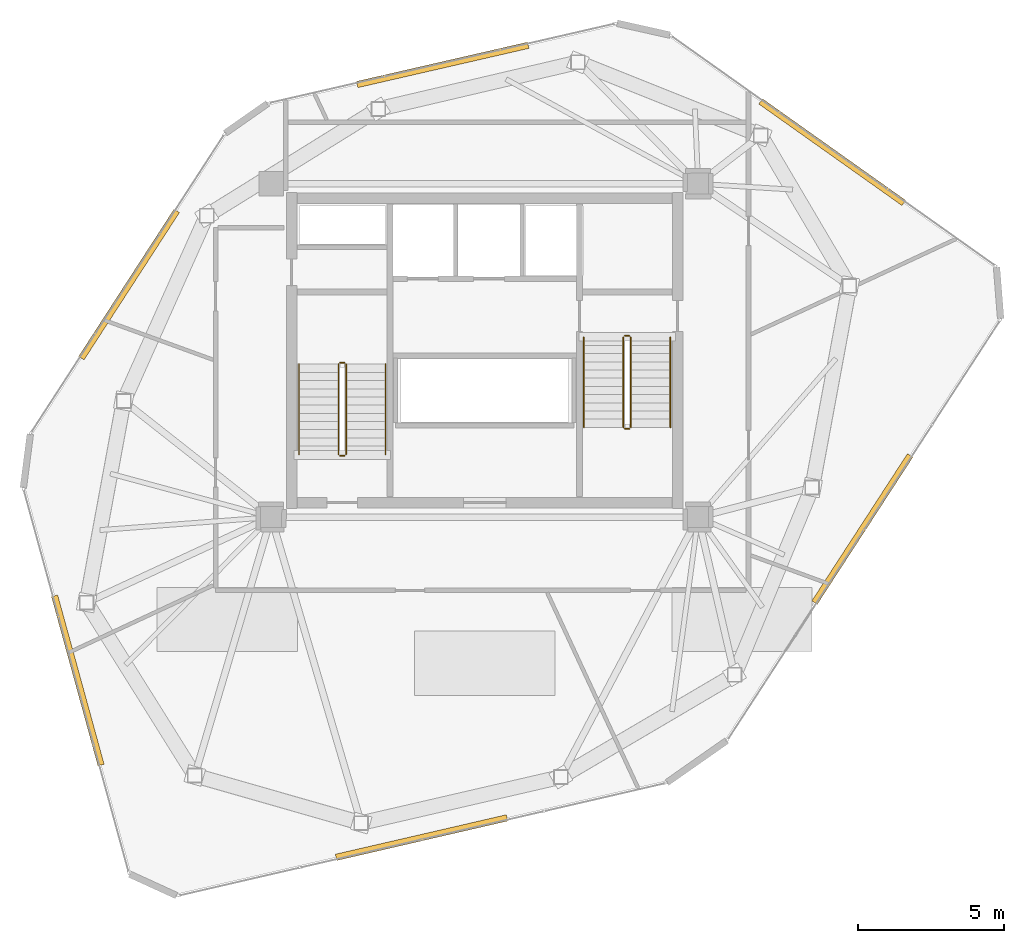
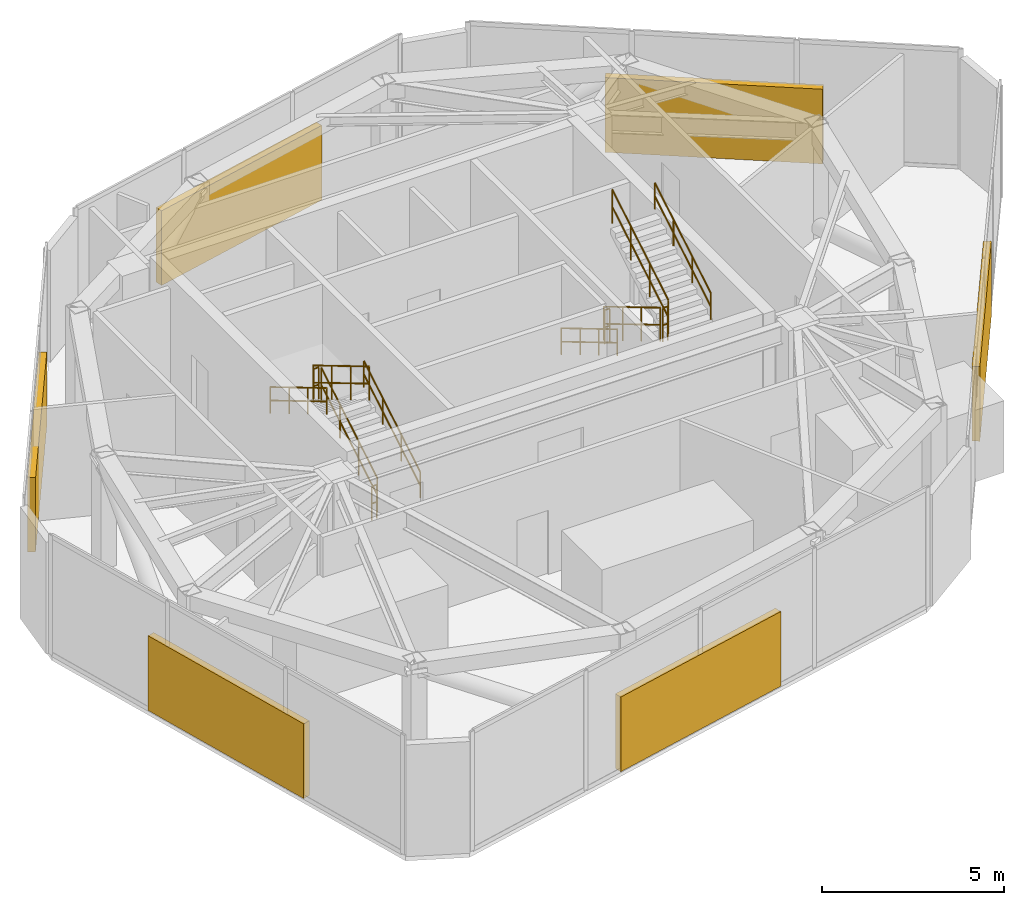
# One storey, part 20 of 21: 12 railings, 6 shading devices.
"""IFC4 building model written with IfcOpenShell, lengths in metres."""

from ifc_helpers import new_model, si_unit, direction, frame, origin, origin_2d, place, context, subcontext, project, spatial, rectangle, circle, extrude, source, transform, mapped, material, type_object, type_shapes, element, save


model = new_model("IFC4")

# Units and contexts
model_context = context("Model", 3, precision=1e-05, world=origin(), true_north=direction((0.0, 1.0)))
body_context = subcontext(model_context, "Body", "Model", "MODEL_VIEW")
ifc_project = project(units=[si_unit("LENGTHUNIT", "METRE"), si_unit("AREAUNIT", "SQUARE_METRE"), si_unit("VOLUMEUNIT", "CUBIC_METRE"), si_unit("PLANEANGLEUNIT", "RADIAN"), si_unit("MASSUNIT", "GRAM", prefix="KILO")], contexts=[model_context])

# Site, building, storey
site_placement = place(None, origin())
site = spatial("IfcSite", under=ifc_project, at=site_placement, CompositionType="ELEMENT")
building_placement = place(site_placement, origin())
building = spatial("IfcBuilding", under=site, at=building_placement, Name="Talar Marvaseh", CompositionType="ELEMENT")
storey_placement = place(building_placement, frame((0.0, 0.0, 308.0)))
storey = spatial("IfcBuildingStorey", under=building, at=storey_placement, Name="L82", CompositionType="ELEMENT", Elevation=308.0)

# Railings
ifc_material_1 = material(Name="Stainless Steel Grade 316", Category="steel")
railing_type_1 = type_object("IfcRailingType", Name="Brushed Stainless Wall Pitch Handrail 900", PredefinedType="HANDRAIL", material=ifc_material_1)
railing_1_placement = place(storey_placement, frame((22.610107421875, 27.64990234375, 0.166748046875)))
element("IfcRailing", 1, at=railing_1_placement, inside=storey, type_object=railing_type_1, Name="L82 ST-1 stair handrail 1", PredefinedType="HANDRAIL", context=body_context, shape_type="SweptSolid", body=[
    extrude(circle(Radius=0.02392578125, at=origin_2d()), frame((0.0, 0.0, 0.8759765625), z_axis=(0.0, 0.859308565015, 0.511457515432), x_axis=(-1.0, 0.0, 0.0)), (0.0, 0.0, 1.0), 3.58447265625),
    extrude(circle(Radius=0.02392578125, at=origin_2d()), frame((0.0, 0.0, 0.42578125), z_axis=(0.0, 0.859308565015, 0.511457515432), x_axis=(-1.0, 0.0, 0.0)), (0.0, 0.0, 1.0), 3.58447265625),
    extrude(circle(Radius=0.02099609375, at=origin_2d()), origin(), (0.0, 0.0, 1.0), 0.851806640625),
    extrude(circle(Radius=0.02099609375, at=origin_2d()), frame((0.0, 1.026611328125, 0.611083984375)), (0.0, 0.0, 1.0), 0.851806640625),
    extrude(circle(Radius=0.02099609375, at=origin_2d()), frame((0.0, 2.053466796875, 1.22216796875)), (0.0, 0.0, 1.0), 0.851806640625),
    extrude(circle(Radius=0.02099609375, at=origin_2d()), frame((0.0, 3.080078125, 1.833251953125)), (0.0, 0.0, 1.0), 0.851806640625),
])
railing_2_placement = place(storey_placement, frame((19.64990234375, 30.72998046875, 2.166748046875)))
element("IfcRailing", 2, at=railing_2_placement, inside=storey, type_object=railing_type_1, Name="L82 ST-1 stair handrail 2", PredefinedType="HANDRAIL", context=body_context, shape_type="SweptSolid", body=[
    extrude(circle(Radius=0.02392578125, at=origin_2d()), frame((0.0, 0.0, 0.8759765625), z_axis=(0.0, -0.859308565015, 0.511457515432), x_axis=(1.0, 0.0, 0.0)), (0.0, 0.0, 1.0), 3.58447265625),
    extrude(circle(Radius=0.02392578125, at=origin_2d()), frame((0.0, 0.0, 0.42578125), z_axis=(0.0, -0.859308565015, 0.511457515432), x_axis=(1.0, 0.0, 0.0)), (0.0, 0.0, 1.0), 3.58447265625),
    extrude(circle(Radius=0.02099609375, at=origin_2d()), origin(), (0.0, 0.0, 1.0), 0.851806640625),
    extrude(circle(Radius=0.02099609375, at=origin_2d()), frame((0.0, -1.026611328125, 0.611083984375)), (0.0, 0.0, 1.0), 0.851806640625),
    extrude(circle(Radius=0.02099609375, at=origin_2d()), frame((0.0, -2.053466796875, 1.22216796875)), (0.0, 0.0, 1.0), 0.851806640625),
    extrude(circle(Radius=0.02099609375, at=origin_2d()), frame((0.0, -3.080078125, 1.833251953125)), (0.0, 0.0, 1.0), 0.851806640625),
])
railing_3_placement = place(storey_placement, frame((29.389892578125, 31.64990234375, 0.166748046875)))
element("IfcRailing", 3, at=railing_3_placement, inside=storey, type_object=railing_type_1, Name="L82 ST-2 stair handrail 1", PredefinedType="HANDRAIL", context=body_context, shape_type="SweptSolid", body=[
    extrude(circle(Radius=0.02392578125, at=origin_2d()), frame((0.0, 0.0, 0.8759765625), z_axis=(0.0, -0.859290745958, 0.51148745235), x_axis=(1.0, 0.0, 0.0)), (0.0, 0.0, 1.0), 3.584228515625),
    extrude(circle(Radius=0.02392578125, at=origin_2d()), frame((0.0, 0.0, 0.42578125), z_axis=(0.0, -0.859290745958, 0.51148745235), x_axis=(1.0, 0.0, 0.0)), (0.0, 0.0, 1.0), 3.584228515625),
    extrude(circle(Radius=0.02099609375, at=origin_2d()), origin(), (0.0, 0.0, 1.0), 0.851806640625),
    extrude(circle(Radius=0.02099609375, at=origin_2d()), frame((0.0, -1.026611328125, 0.611083984375)), (0.0, 0.0, 1.0), 0.851806640625),
    extrude(circle(Radius=0.02099609375, at=origin_2d()), frame((0.0, -2.05322265625, 1.22216796875)), (0.0, 0.0, 1.0), 0.851806640625),
    extrude(circle(Radius=0.02099609375, at=origin_2d()), frame((0.0, -3.079833984375, 1.833251953125)), (0.0, 0.0, 1.0), 0.851806640625),
])
railing_4_placement = place(storey_placement, frame((32.35009765625, 28.570068359375, 2.166748046875)))
element("IfcRailing", 4, at=railing_4_placement, inside=storey, type_object=railing_type_1, Name="L82 ST-2 stair handrail 2", PredefinedType="HANDRAIL", context=body_context, shape_type="SweptSolid", body=[
    extrude(circle(Radius=0.02392578125, at=origin_2d()), frame((0.0, 0.0, 0.8759765625), z_axis=(0.0, 0.859290745958, 0.51148745235), x_axis=(-1.0, 0.0, 0.0)), (0.0, 0.0, 1.0), 3.584228515625),
    extrude(circle(Radius=0.02392578125, at=origin_2d()), frame((0.0, 0.0, 0.42578125), z_axis=(0.0, 0.859290745958, 0.51148745235), x_axis=(-1.0, 0.0, 0.0)), (0.0, 0.0, 1.0), 3.584228515625),
    extrude(circle(Radius=0.02099609375, at=origin_2d()), origin(), (0.0, 0.0, 1.0), 0.851806640625),
    extrude(circle(Radius=0.02099609375, at=origin_2d()), frame((0.0, 1.026611328125, 0.611083984375)), (0.0, 0.0, 1.0), 0.851806640625),
    extrude(circle(Radius=0.02099609375, at=origin_2d()), frame((0.0, 2.05322265625, 1.22216796875)), (0.0, 0.0, 1.0), 0.851806640625),
    extrude(circle(Radius=0.02099609375, at=origin_2d()), frame((0.0, 3.079833984375, 1.833251953125)), (0.0, 0.0, 1.0), 0.851806640625),
])
railing_type_2 = type_object("IfcRailingType", Name="Painted Steel Core Stair Well Guardrail 1150", PredefinedType="GUARDRAIL", material=ifc_material_1)
railing_5_placement = place(storey_placement, frame((21.260009765625, 27.64990234375, 0.166748046875)))
element("IfcRailing", 5, at=railing_5_placement, inside=storey, type_object=railing_type_2, Name="L82 ST-1 stair guard 1", PredefinedType="GUARDRAIL", context=body_context, shape_type="SweptSolid", body=[
    extrude(circle(Radius=0.02392578125, at=origin_2d()), frame((0.0, 0.0, 1.1259765625), z_axis=(0.0, 0.859308565015, 0.511457515432), x_axis=(-1.0, 0.0, 0.0)), (0.0, 0.0, 1.0), 3.58447265625),
    extrude(circle(Radius=0.02392578125, at=origin_2d()), frame((0.0, 0.0, 0.55078125), z_axis=(0.0, 0.859308565015, 0.511457515432), x_axis=(-1.0, 0.0, 0.0)), (0.0, 0.0, 1.0), 3.58447265625),
    extrude(circle(Radius=0.02099609375, at=origin_2d()), origin(), (0.0, 0.0, 1.0), 1.101806640625),
    extrude(circle(Radius=0.02099609375, at=origin_2d()), frame((0.0, 1.026611328125, 0.611083984375)), (0.0, 0.0, 1.0), 1.101806640625),
    extrude(circle(Radius=0.02099609375, at=origin_2d()), frame((0.0, 2.053466796875, 1.22216796875)), (0.0, 0.0, 1.0), 1.101806640625),
    extrude(circle(Radius=0.02099609375, at=origin_2d()), frame((0.0, 3.080078125, 1.833251953125)), (0.0, 0.0, 1.0), 1.101806640625),
])
railing_6_placement = place(storey_placement, frame((21.2099609375, 30.780029296875, 2.0)))
element("IfcRailing", 6, at=railing_6_placement, inside=storey, type_object=railing_type_2, Name="L82 ST-1 stair guard 2", PredefinedType="GUARDRAIL", context=body_context, shape_type="SweptSolid", body=[
    extrude(circle(Radius=0.02392578125, at=origin_2d()), frame((0.0, 0.0, 1.1259765625), z_axis=(-1.0, 0.0, 0.0), x_axis=(0.0, -1.0, 0.0)), (0.0, 0.0, 1.0), 0.159912109375),
    extrude(circle(Radius=0.02392578125, at=origin_2d()), frame((0.0, 0.0, 0.55078125), z_axis=(-1.0, 0.0, 0.0), x_axis=(0.0, -1.0, 0.0)), (0.0, 0.0, 1.0), 0.159912109375),
    extrude(circle(Radius=0.02099609375, at=origin_2d()), origin(), (0.0, 0.0, 1.0), 1.101806640625),
    extrude(circle(Radius=0.02099609375, at=origin_2d()), frame((-0.159912109375, 0.0, 0.0)), (0.0, 0.0, 1.0), 1.101806640625),
])
railing_7_placement = place(storey_placement, frame((21.0, 30.72998046875, 2.166748046875)))
element("IfcRailing", 7, at=railing_7_placement, inside=storey, type_object=railing_type_2, Name="L82 ST-1 stair guard 3", PredefinedType="GUARDRAIL", context=body_context, shape_type="SweptSolid", body=[
    extrude(circle(Radius=0.02392578125, at=origin_2d()), frame((0.0, 0.0, 1.1259765625), z_axis=(0.0, -0.859308565015, 0.511457515432), x_axis=(1.0, 0.0, 0.0)), (0.0, 0.0, 1.0), 3.58447265625),
    extrude(circle(Radius=0.02392578125, at=origin_2d()), frame((0.0, 0.0, 0.55078125), z_axis=(0.0, -0.859308565015, 0.511457515432), x_axis=(1.0, 0.0, 0.0)), (0.0, 0.0, 1.0), 3.58447265625),
    extrude(circle(Radius=0.02099609375, at=origin_2d()), origin(), (0.0, 0.0, 1.0), 1.101806640625),
    extrude(circle(Radius=0.02099609375, at=origin_2d()), frame((0.0, -1.026611328125, 0.611083984375)), (0.0, 0.0, 1.0), 1.101806640625),
    extrude(circle(Radius=0.02099609375, at=origin_2d()), frame((0.0, -2.053466796875, 1.22216796875)), (0.0, 0.0, 1.0), 1.101806640625),
    extrude(circle(Radius=0.02099609375, at=origin_2d()), frame((0.0, -3.080078125, 1.833251953125)), (0.0, 0.0, 1.0), 1.101806640625),
])
railing_8_placement = place(storey_placement, frame((21.2099609375, 27.60009765625, 0.0)))
element("IfcRailing", 8, at=railing_8_placement, inside=storey, type_object=railing_type_2, Name="L82 ST-1 stair guard 4", PredefinedType="GUARDRAIL", context=body_context, shape_type="SweptSolid", body=[
    extrude(circle(Radius=0.02392578125, at=origin_2d()), frame((0.0, 0.0, 1.1259765625), z_axis=(-1.0, 0.0, 0.0), x_axis=(0.0, -1.0, 0.0)), (0.0, 0.0, 1.0), 0.159912109375),
    extrude(circle(Radius=0.02392578125, at=origin_2d()), frame((0.0, 0.0, 0.55078125), z_axis=(-1.0, 0.0, 0.0), x_axis=(0.0, -1.0, 0.0)), (0.0, 0.0, 1.0), 0.159912109375),
    extrude(circle(Radius=0.02099609375, at=origin_2d()), origin(), (0.0, 0.0, 1.0), 1.101806640625),
    extrude(circle(Radius=0.02099609375, at=origin_2d()), frame((-0.159912109375, 0.0, 0.0)), (0.0, 0.0, 1.0), 1.101806640625),
])
railing_9_placement = place(storey_placement, frame((30.739990234375, 31.64990234375, 0.166748046875)))
element("IfcRailing", 9, at=railing_9_placement, inside=storey, type_object=railing_type_2, Name="L82 ST-2 stair guard 1", PredefinedType="GUARDRAIL", context=body_context, shape_type="SweptSolid", body=[
    extrude(circle(Radius=0.02392578125, at=origin_2d()), frame((0.0, 0.0, 1.1259765625), z_axis=(0.0, -0.859290745958, 0.51148745235), x_axis=(1.0, 0.0, 0.0)), (0.0, 0.0, 1.0), 3.584228515625),
    extrude(circle(Radius=0.02392578125, at=origin_2d()), frame((0.0, 0.0, 0.55078125), z_axis=(0.0, -0.859290745958, 0.51148745235), x_axis=(1.0, 0.0, 0.0)), (0.0, 0.0, 1.0), 3.584228515625),
    extrude(circle(Radius=0.02099609375, at=origin_2d()), origin(), (0.0, 0.0, 1.0), 1.101806640625),
    extrude(circle(Radius=0.02099609375, at=origin_2d()), frame((0.0, -1.026611328125, 0.611083984375)), (0.0, 0.0, 1.0), 1.101806640625),
    extrude(circle(Radius=0.02099609375, at=origin_2d()), frame((0.0, -2.05322265625, 1.22216796875)), (0.0, 0.0, 1.0), 1.101806640625),
    extrude(circle(Radius=0.02099609375, at=origin_2d()), frame((0.0, -3.079833984375, 1.833251953125)), (0.0, 0.0, 1.0), 1.101806640625),
])
railing_10_placement = place(storey_placement, frame((30.7900390625, 28.52001953125, 2.0)))
element("IfcRailing", 10, at=railing_10_placement, inside=storey, type_object=railing_type_2, Name="L82 ST-2 stair guard 2", PredefinedType="GUARDRAIL", context=body_context, shape_type="SweptSolid", body=[
    extrude(circle(Radius=0.02392578125, at=origin_2d()), frame((0.0, 0.0, 1.1259765625), z_axis=(1.0, 0.0, 0.0), x_axis=(0.0, 1.0, 0.0)), (0.0, 0.0, 1.0), 0.159912109375),
    extrude(circle(Radius=0.02392578125, at=origin_2d()), frame((0.0, 0.0, 0.55078125), z_axis=(1.0, 0.0, 0.0), x_axis=(0.0, 1.0, 0.0)), (0.0, 0.0, 1.0), 0.159912109375),
    extrude(circle(Radius=0.02099609375, at=origin_2d()), origin(), (0.0, 0.0, 1.0), 1.101806640625),
    extrude(circle(Radius=0.02099609375, at=origin_2d()), frame((0.159912109375, 0.0, 0.0)), (0.0, 0.0, 1.0), 1.101806640625),
])
railing_11_placement = place(storey_placement, frame((31.0, 28.570068359375, 2.166748046875)))
element("IfcRailing", 11, at=railing_11_placement, inside=storey, type_object=railing_type_2, Name="L82 ST-2 stair guard 3", PredefinedType="GUARDRAIL", context=body_context, shape_type="SweptSolid", body=[
    extrude(circle(Radius=0.02392578125, at=origin_2d()), frame((0.0, 0.0, 1.1259765625), z_axis=(0.0, 0.859290745958, 0.51148745235), x_axis=(-1.0, 0.0, 0.0)), (0.0, 0.0, 1.0), 3.584228515625),
    extrude(circle(Radius=0.02392578125, at=origin_2d()), frame((0.0, 0.0, 0.55078125), z_axis=(0.0, 0.859290745958, 0.51148745235), x_axis=(-1.0, 0.0, 0.0)), (0.0, 0.0, 1.0), 3.584228515625),
    extrude(circle(Radius=0.02099609375, at=origin_2d()), origin(), (0.0, 0.0, 1.0), 1.101806640625),
    extrude(circle(Radius=0.02099609375, at=origin_2d()), frame((0.0, 1.026611328125, 0.611083984375)), (0.0, 0.0, 1.0), 1.101806640625),
    extrude(circle(Radius=0.02099609375, at=origin_2d()), frame((0.0, 2.05322265625, 1.22216796875)), (0.0, 0.0, 1.0), 1.101806640625),
    extrude(circle(Radius=0.02099609375, at=origin_2d()), frame((0.0, 3.079833984375, 1.833251953125)), (0.0, 0.0, 1.0), 1.101806640625),
])
railing_12_placement = place(storey_placement, frame((30.7900390625, 31.699951171875, 0.0)))
element("IfcRailing", 12, at=railing_12_placement, inside=storey, type_object=railing_type_2, Name="L82 ST-2 stair guard 4", PredefinedType="GUARDRAIL", context=body_context, shape_type="SweptSolid", body=[
    extrude(circle(Radius=0.02392578125, at=origin_2d()), frame((0.0, 0.0, 1.1259765625), z_axis=(1.0, 0.0, 0.0), x_axis=(0.0, 1.0, 0.0)), (0.0, 0.0, 1.0), 0.159912109375),
    extrude(circle(Radius=0.02392578125, at=origin_2d()), frame((0.0, 0.0, 0.55078125), z_axis=(1.0, 0.0, 0.0), x_axis=(0.0, 1.0, 0.0)), (0.0, 0.0, 1.0), 0.159912109375),
    extrude(circle(Radius=0.02099609375, at=origin_2d()), origin(), (0.0, 0.0, 1.0), 1.101806640625),
    extrude(circle(Radius=0.02099609375, at=origin_2d()), frame((0.159912109375, 0.0, 0.0)), (0.0, 0.0, 1.0), 1.101806640625),
])

# Shading devices
ifc_material_2 = material(Name="Anodised Champagne Bronze Aluminium", Category="aluminium")
shading_device_type = type_object("IfcShadingDeviceType", Name="Acoustic Weatherproof Plant Louvre Bank", PredefinedType="USERDEFINED", material=ifc_material_2)
shared_shape = source(origin(), body_context, "Body", "SweptSolid", [
    extrude(rectangle(XDim=6.0, YDim=0.219970703125, at=origin_2d()), origin(), (0.0, 0.0, 1.0), 2.5),
])
type_shapes(shading_device_type, [shared_shape])
for number, where, z_axis, x_axis, name in (
    (13, (12.086669921875, 19.917724609375, 0.0), (0.0, 0.0, 1.0), (-0.264714684522, 0.964326778534, 0.0), "L82 Acoustic Plant Louvre Screen"),
    (14, (13.838623046875, 33.455322265625, 0.0), (0.0, 0.0, 1.0), (0.543613999406, 0.839335343977, 0.0), "L82 Acoustic Plant Louvre Screen"),
    (15, (24.563232421875, 40.96484375, 0.0), (0.0, 0.0, 1.0), (0.974644167091, 0.223760469153, 0.0), "L82 Acoustic Plant Louvre Screen"),
    (16, (37.8837890625, 37.98095703125, 0.0), (0.0, 0.0, 1.0), (0.815633003474, -0.578569618666, 0.0), "L82 Acoustic Plant Louvre Screen"),
    (17, (38.91455078125, 25.095703125, 0.0), (0.0, 0.0, 1.0), (-0.544785402346, -0.838575497728, 0.0), "L82 Acoustic Plant Louvre Screen"),
    (18, (23.84228515625, 14.5419921875, 0.0), (0.0, 0.0, 1.0), (-0.974330788579, -0.225121110574, 0.0), "L82 Acoustic Plant Louvre Screen"),
):
    element("IfcShadingDevice", number, at=place(storey_placement, frame(where, z_axis=z_axis, x_axis=x_axis)), inside=storey, type_object=shading_device_type, Name=name, ObjectType="LOUVRE", PredefinedType="USERDEFINED", context=body_context, shape_type="MappedRepresentation", body=[
        mapped(shared_shape, transform((0.0, 0.0, 0.0), x_axis=(1.0, 0.0, 0.0), y_axis=(0.0, 1.0, 0.0), z_axis=(0.0, 0.0, 1.0), scale=1.0)),
    ])

save(model, "model.ifc")
